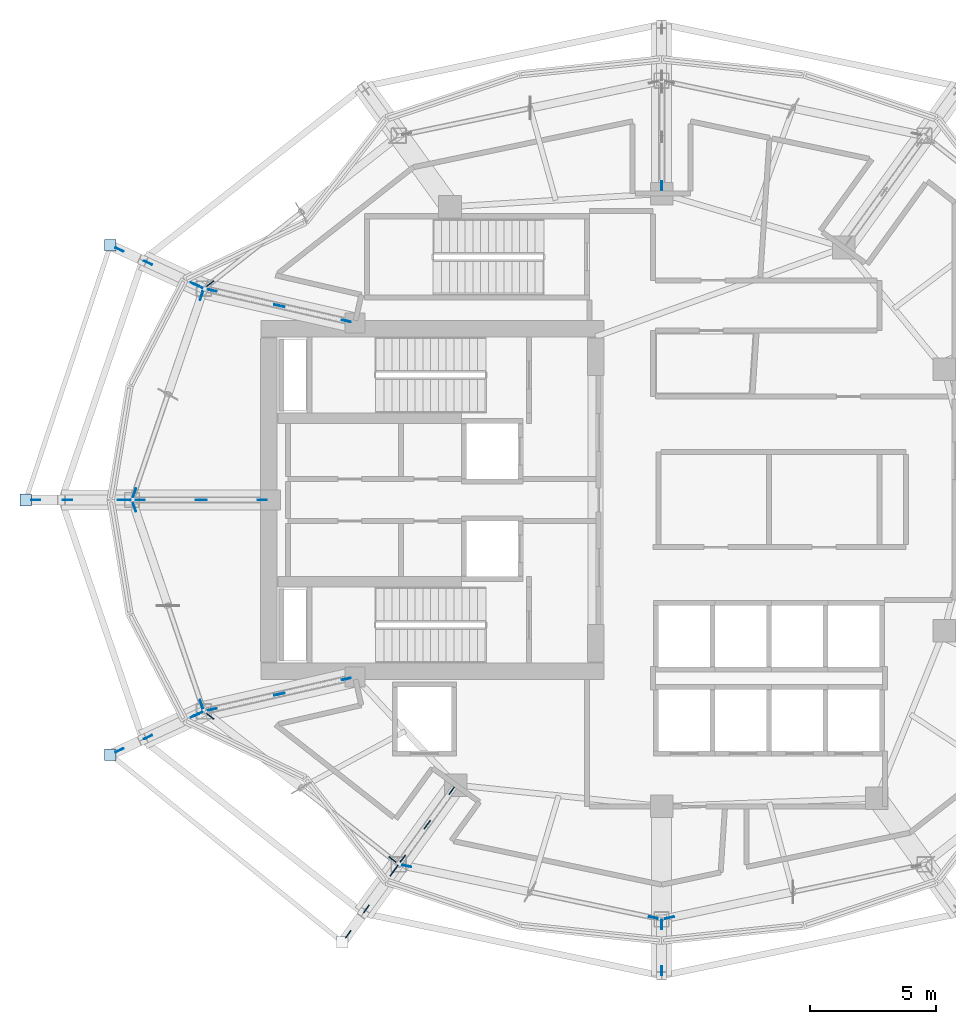
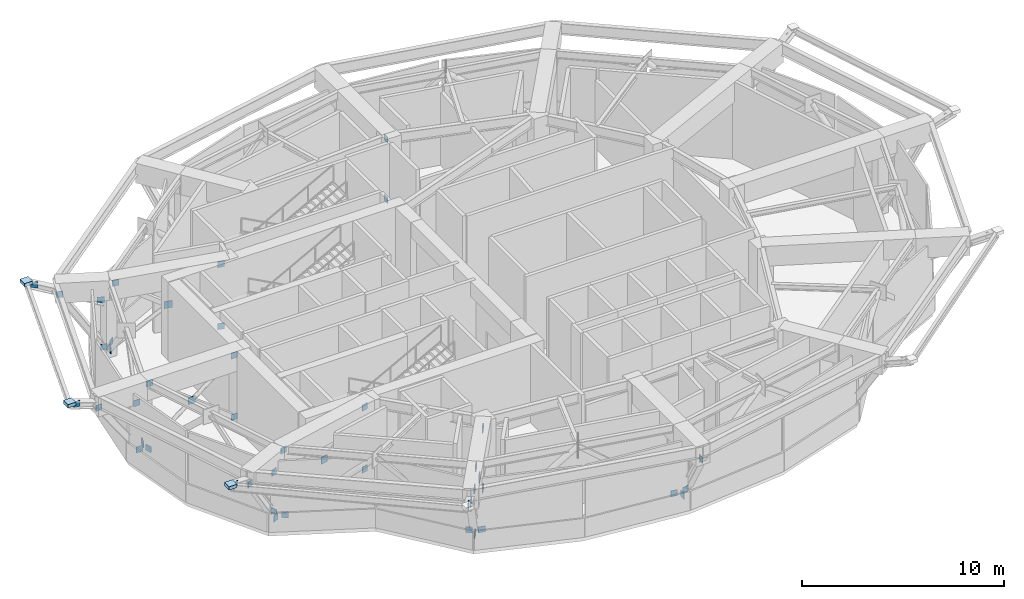
# One storey, part 5 of 13: 49 plates.
"""IFC4 building model written with IfcOpenShell, lengths in metres."""

from ifc_helpers import new_model, si_unit, direction, frame, origin, origin_2d, place, context, subcontext, project, spatial, rectangle, extrude, material, layer, layer_set, type_object, element, save


model = new_model("IFC4")

# Units and contexts
model_context = context("Model", 3, precision=1e-05, world=origin(), true_north=direction((0.0, 1.0)))
body_context = subcontext(model_context, "Body", "Model", "MODEL_VIEW")
ifc_project = project(units=[si_unit("LENGTHUNIT", "METRE"), si_unit("AREAUNIT", "SQUARE_METRE"), si_unit("VOLUMEUNIT", "CUBIC_METRE"), si_unit("PLANEANGLEUNIT", "RADIAN"), si_unit("MASSUNIT", "GRAM", prefix="KILO")], contexts=[model_context])

# Site, building, storey
site_placement = place(None, origin())
site = spatial("IfcSite", under=ifc_project, at=site_placement, CompositionType="ELEMENT")
building_placement = place(site_placement, origin())
building = spatial("IfcBuilding", under=site, at=building_placement, Name="Kolvaren Gate Tower and Convention Centre", CompositionType="ELEMENT")
storey_placement = place(building_placement, frame((0.0, 0.0, 186.89990234375)))
storey = spatial("IfcBuildingStorey", under=building, at=storey_placement, Name="L49", CompositionType="ELEMENT", Elevation=186.89990234375)

# Plates
ifc_material = material(Name="Structural steel plate ASTM A572 Grade 345 MPa", Category="steel")
ifc_layer_1 = layer(ifc_material, 0.030029296875)
ifc_layer_set_1 = layer_set([ifc_layer_1], Name="Structural steel plate ASTM A572 Grade 345 MPa")
plate_type_1 = type_object("IfcPlateType", Name="STR-PL-CAP-30", PredefinedType="USERDEFINED", material=ifc_layer_set_1)
for number, where, z_axis, x_axis, name in (
    (1, (8.173583984375, 37.138916015625, 4.54052734375), (0.0, 0.0, 1.0), (1.0, 0.0, 0.0), "Balcony Outrigger Strut 2A Top Bearing Seat"),
    (2, (4.804931640625, 27.0, 4.54052734375), (0.0, 0.0, 1.0), (1.0, 0.0, 0.0), "Balcony Outrigger Strut 2B Top Bearing Seat"),
    (3, (8.173583984375, 16.861083984375, 4.54052734375), (0.0, 0.0, 1.0), (1.0, 0.0, 0.0), "Balcony Outrigger Strut 3A Top Bearing Seat"),
):
    element("IfcPlate", number, at=place(storey_placement, frame(where, z_axis=z_axis, x_axis=x_axis)), inside=storey, type_object=plate_type_1, Name=name, ObjectType="GUSSET PLATE", PredefinedType="USERDEFINED", context=body_context, shape_type="SweptSolid", body=[
        extrude(rectangle(XDim=0.4599609375, YDim=0.4599609375, at=origin_2d()), origin(), (0.0, 0.0, 1.0), 0.199951171875),
    ])
ifc_layer_2 = layer(ifc_material, 0.035888671875)
ifc_layer_set_2 = layer_set([ifc_layer_2], Name="Structural steel plate ASTM A572 Grade 345 MPa")
plate_type_2 = type_object("IfcPlateType", Name="STR-PL-END-36", PredefinedType="USERDEFINED", material=ifc_layer_set_2)
for number, where, z_axis, x_axis, name in (
    (4, (11.6865234375, 35.516357421875, 0.26953125), (0.0, 0.0, 1.0), (-0.907841891041, 0.419312652888, 0.0), "Structural Brace End Connection Gusset Plate EGP-019"),
    (5, (9.67431640625, 36.44580078125, 3.5908203125), (0.0, 0.0, 1.0), (-0.907841891041, 0.419312652888, 0.0), "Structural Brace End Connection Gusset Plate EGP-020"),
    (6, (8.796630859375, 27.0, 0.26416015625), (0.0, 0.0, 1.0), (-1.0, 0.0, 0.0), "Structural Brace End Connection Gusset Plate EGP-021"),
    (7, (6.4658203125, 27.0, 3.595703125), (0.0, 0.0, 1.0), (-1.0, 0.0, 0.0), "Structural Brace End Connection Gusset Plate EGP-022"),
    (8, (11.6865234375, 18.483642578125, 0.26953125), (0.0, 0.0, 1.0), (-0.907841891041, -0.419312652888, 0.0), "Structural Brace End Connection Gusset Plate EGP-023"),
    (9, (9.67431640625, 17.55419921875, 3.5908203125), (0.0, 0.0, 1.0), (-0.907841891041, -0.419312652888, 0.0), "Structural Brace End Connection Gusset Plate EGP-024"),
    (10, (19.527587890625, 12.31591796875, 0.28076171875), (0.0, 0.0, 1.0), (-0.585184143922, -0.810900436369, 0.0), "Structural Brace End Connection Gusset Plate EGP-025"),
    (11, (18.37353515625, 10.716796875, 3.57958984375), (0.0, 0.0, 1.0), (-0.585184143922, -0.810900436369, 0.0), "Structural Brace End Connection Gusset Plate EGP-026"),
    (12, (30.125, 10.094970703125, 0.28662109375), (0.0, 0.0, 1.0), (0.0, -1.0, 0.0), "Structural Brace End Connection Gusset Plate EGP-027"),
    (13, (30.125, 8.255126953125, 3.57373046875), (0.0, 0.0, 1.0), (0.0, -1.0, 0.0), "Structural Brace End Connection Gusset Plate EGP-028"),
    (14, (11.537109375, 35.58544921875, 3.125), (0.0, 0.0, 1.0), (-0.907842622878, 0.419311068404, 0.0), "Structural Brace End Connection Gusset Plate EGP-037"),
    (15, (8.53466796875, 36.97216796875, 4.24560546875), (0.0, 0.0, 1.0), (-0.907842622878, 0.419311068404, 0.0), "Structural Brace End Connection Gusset Plate EGP-038"),
    (16, (8.638427734375, 27.0, 3.12109375), (0.0, 0.0, 1.0), (-1.0, 0.0, 0.0), "Structural Brace End Connection Gusset Plate EGP-039"),
    (17, (5.2041015625, 27.0, 4.24951171875), (0.0, 0.0, 1.0), (-1.0, 0.0, 0.0), "Structural Brace End Connection Gusset Plate EGP-040"),
    (18, (11.537109375, 18.41455078125, 3.125), (0.0, 0.0, 1.0), (-0.907842622878, -0.419311068404, 0.0), "Structural Brace End Connection Gusset Plate EGP-041"),
    (19, (8.53466796875, 17.02783203125, 4.24560546875), (0.0, 0.0, 1.0), (-0.907842622878, -0.419311068404, 0.0), "Structural Brace End Connection Gusset Plate EGP-042"),
    (20, (19.422607421875, 12.17041015625, 3.1337890625), (0.0, 0.0, 1.0), (-0.585188389778, -0.81089737234, 0.0), "Structural Brace End Connection Gusset Plate EGP-043"),
    (21, (17.6474609375, 9.710693359375, 4.23681640625), (0.0, 0.0, 1.0), (-0.585188389778, -0.81089737234, 0.0), "Structural Brace End Connection Gusset Plate EGP-044"),
    (22, (12.14892578125, 35.615478515625, 0.34375), (0.0, 0.0, 1.0), (0.786452316471, 0.617650996856, 0.0), "Structural Brace End Connection Gusset Plate EGP-264"),
    (23, (11.800537109375, 35.130615234375, 0.35986328125), (0.0, 0.0, 1.0), (-0.321748503985, -0.946825168752, 0.0), "Structural Brace End Connection Gusset Plate EGP-265"),
    (24, (9.13525390625, 27.287841796875, 0.35986328125), (0.0, 0.0, 1.0), (0.321748503985, 0.946825168752, 0.0), "Structural Brace End Connection Gusset Plate EGP-266"),
    (25, (9.13525390625, 26.712158203125, 0.35986328125), (0.0, 0.0, 1.0), (0.321748503985, -0.946825168752, 0.0), "Structural Brace End Connection Gusset Plate EGP-267"),
    (26, (11.800537109375, 18.869384765625, 0.35986328125), (0.0, 0.0, 1.0), (-0.321748503985, 0.946825168752, 0.0), "Structural Brace End Connection Gusset Plate EGP-268"),
    (27, (12.14892578125, 18.384521484375, 0.34375), (0.0, 0.0, 1.0), (0.786452316471, -0.617650996856, 0.0), "Structural Brace End Connection Gusset Plate EGP-269"),
    (28, (19.403076171875, 12.6875, 0.34375), (0.0, 0.0, 1.0), (-0.786444770382, 0.617660605138, 0.0), "Structural Brace End Connection Gusset Plate EGP-270"),
    (29, (19.975830078125, 12.423095703125, 0.33056640625), (0.0, 0.0, 1.0), (0.978810959299, -0.204765978513, 0.0), "Structural Brace End Connection Gusset Plate EGP-271"),
    (30, (29.802734375, 10.367431640625, 0.33056640625), (0.0, 0.0, 1.0), (-0.978810959299, 0.204765978513, 0.0), "Structural Brace End Connection Gusset Plate EGP-272"),
    (31, (30.447265625, 10.367431640625, 0.33056640625), (0.0, 0.0, 1.0), (0.978810959299, 0.204765978513, 0.0), "Structural Brace End Connection Gusset Plate EGP-273"),
    (32, (17.576416015625, 34.126708984375, 0.3076171875), (0.0, 0.0, 1.0), (-0.975083963799, 0.221836118659, 0.0), "Structural Brace End Connection Gusset Plate EGP-279"),
    (33, (12.23583984375, 35.341796875, 4.06787109375), (0.0, 0.0, 1.0), (-0.975083963799, 0.221836118659, 0.0), "Structural Brace End Connection Gusset Plate EGP-280"),
    (34, (17.576416015625, 34.126708984375, 4.06787109375), (0.0, 0.0, 1.0), (0.975083189439, -0.221839522343, 0.0), "Structural Brace End Connection Gusset Plate EGP-281"),
    (35, (14.217041015625, 27.0, 0.326171875), (0.0, 0.0, 1.0), (-1.0, 0.0, 0.0), "Structural Brace End Connection Gusset Plate EGP-282"),
    (36, (9.37060546875, 27.0, 4.0498046875), (0.0, 0.0, 1.0), (-1.0, 0.0, 0.0), "Structural Brace End Connection Gusset Plate EGP-283"),
    (37, (14.217041015625, 27.0, 4.0498046875), (0.0, 0.0, 1.0), (1.0, 0.0, 0.0), "Structural Brace End Connection Gusset Plate EGP-284"),
    (38, (17.576416015625, 19.873291015625, 0.3076171875), (0.0, 0.0, 1.0), (-0.975083963799, -0.221836118659, 0.0), "Structural Brace End Connection Gusset Plate EGP-285"),
    (39, (12.23583984375, 18.658203125, 4.06787109375), (0.0, 0.0, 1.0), (-0.975083963799, -0.221836118659, 0.0), "Structural Brace End Connection Gusset Plate EGP-286"),
    (40, (17.576416015625, 19.873291015625, 4.06787109375), (0.0, 0.0, 1.0), (0.975083189439, 0.221839522343, 0.0), "Structural Brace End Connection Gusset Plate EGP-287"),
    (41, (30.125, 39.505859375, 0.35791015625), (0.0, 0.0, 1.0), (0.0, 1.0, 0.0), "Structural Brace End Connection Gusset Plate EGP-291"),
    (42, (30.125, 39.505859375, 4.017578125), (0.0, 0.0, 1.0), (0.0, -1.0, 0.0), "Structural Brace End Connection Gusset Plate EGP-294"),
    (43, (21.765869140625, 15.4169921875, 0.37939453125), (0.0, 0.0, 1.0), (-0.585228017001, -0.810868773673, 0.0), "Structural Brace End Connection Gusset Plate EGP-295"),
    (44, (19.81982421875, 12.72119140625, 3.99658203125), (0.0, 0.0, 1.0), (-0.585228017001, -0.810868773673, 0.0), "Structural Brace End Connection Gusset Plate EGP-296"),
    (45, (21.765869140625, 15.4169921875, 3.99658203125), (0.0, 0.0, 1.0), (0.585211034077, 0.810881030482, 0.0), "Structural Brace End Connection Gusset Plate EGP-297"),
):
    element("IfcPlate", number, at=place(storey_placement, frame(where, z_axis=z_axis, x_axis=x_axis)), inside=storey, type_object=plate_type_2, Name=name, ObjectType="GUSSET PLATE", PredefinedType="USERDEFINED", context=body_context, shape_type="SweptSolid", body=[
        extrude(rectangle(XDim=0.360107421875, YDim=0.035888671875, at=origin_2d()), origin(), (0.0, 0.0, 1.0), 0.360107421875),
    ])
ifc_layer_3 = layer(ifc_material, 0.035888671875)
ifc_layer_set_3 = layer_set([ifc_layer_3], Name="Structural steel plate ASTM A572 Grade 345 MPa")
plate_type_3 = type_object("IfcPlateType", Name="STR-PL-GUSSET-36", PredefinedType="USERDEFINED", material=ifc_layer_set_3)
for number, where, z_axis, x_axis, name in (
    (46, (14.90625, 34.734375, 2.157958984375), (0.0, 0.0, 1.0), (-0.975083963799, 0.221836118659, 0.0), "Outrigger Crossing Gusset Plate GP-OUT-L49-01X"),
    (47, (11.793701171875, 27.0, 2.157958984375), (0.0, 0.0, 1.0), (-1.0, 0.0, 0.0), "Outrigger Crossing Gusset Plate GP-OUT-L49-02X"),
    (48, (14.90625, 19.265625, 2.157958984375), (0.0, 0.0, 1.0), (-0.975083963799, -0.221836118659, 0.0), "Outrigger Crossing Gusset Plate GP-OUT-L49-03X"),
    (49, (20.79296875, 14.069091796875, 2.157958984375), (0.0, 0.0, 1.0), (-0.585228017001, -0.810868773673, 0.0), "Outrigger Crossing Gusset Plate GP-OUT-L49-06X"),
):
    element("IfcPlate", number, at=place(storey_placement, frame(where, z_axis=z_axis, x_axis=x_axis)), inside=storey, type_object=plate_type_3, Name=name, ObjectType="GUSSET PLATE", PredefinedType="USERDEFINED", context=body_context, shape_type="SweptSolid", body=[
        extrude(rectangle(XDim=0.419921875, YDim=0.035888671875, at=origin_2d()), origin(), (0.0, 0.0, 1.0), 0.419921875),
    ])

save(model, "model.ifc")
